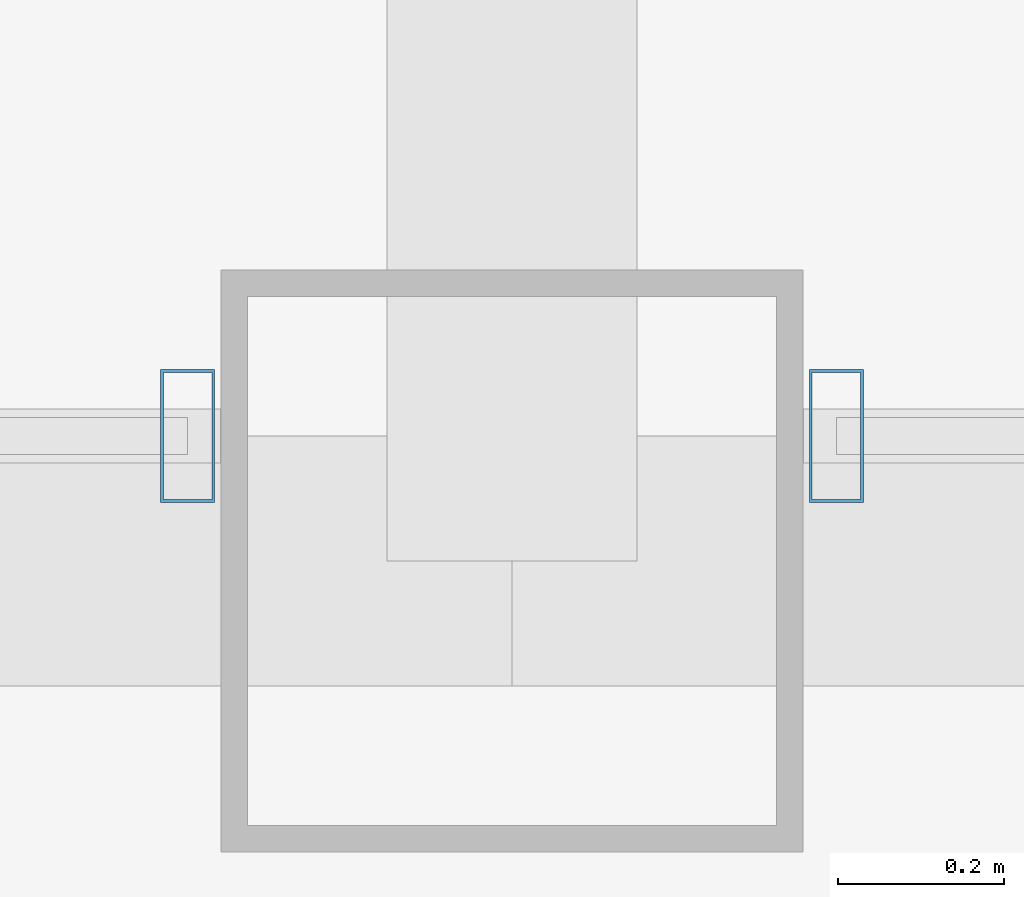
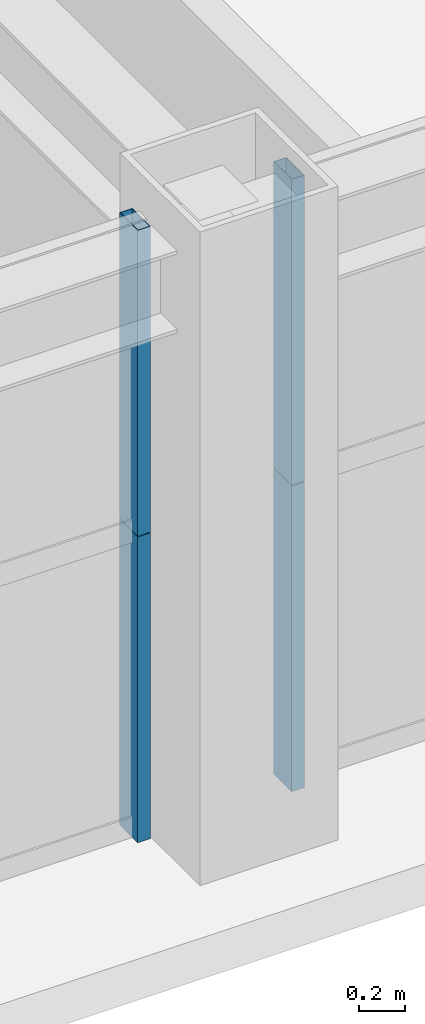
# One storey, part 9 of 36: 4 members, 2 elements without a shape of their own.
"""IFC4 building model written with IfcOpenShell, lengths in metres."""

from ifc_helpers import new_model, si_unit, direction, frame, origin, origin_2d, place, context, subcontext, project, spatial, hollow_rectangle, extrude, source, transform, mapped, material, layer, layer_set, material_profile, profile_set, type_object, element, aggregate, save


model = new_model("IFC4")

# Units and contexts
model_context = context("Model", 3, precision=1e-05, world=origin(), true_north=direction((0.0, 1.0)))
body_context = subcontext(model_context, "Body", "Model", "MODEL_VIEW")
ifc_project = project(units=[si_unit("LENGTHUNIT", "METRE"), si_unit("AREAUNIT", "SQUARE_METRE"), si_unit("VOLUMEUNIT", "CUBIC_METRE"), si_unit("PLANEANGLEUNIT", "RADIAN"), si_unit("MASSUNIT", "GRAM", prefix="KILO"), si_unit("THERMODYNAMICTEMPERATUREUNIT", "KELVIN"), si_unit("POWERUNIT", "WATT")], contexts=[model_context])

# Site, building, storey
site_placement = place(None, origin())
site = spatial("IfcSite", under=ifc_project, at=site_placement, CompositionType="ELEMENT")
building_placement = place(site_placement, origin())
building = spatial("IfcBuilding", under=site, at=building_placement, Name="Yuzanri Waterfront Tower", CompositionType="ELEMENT")
storey_placement = place(building_placement, frame((0.0, 0.0, 224.10009765625)))
storey = spatial("IfcBuildingStorey", under=building, at=storey_placement, Name="L59", CompositionType="ELEMENT", Elevation=224.10009765625)

# Curtain wall, members
ifc_material_1 = material(Name="Anodized Architectural Bronze", Category="metal")
ifc_layer = layer(ifc_material_1, 0.159912109375)
ifc_layer_set = layer_set([ifc_layer], Name="Anodized Architectural Bronze")
curtain_wall_type = type_object("IfcCurtainWallType", Name="Anodized Bronze Mid-Rise Residential Acoustic Unitized Curtain Wall 7200", PredefinedType="NOTDEFINED", material=ifc_layer_set)
curtain_wall_1_placement = place(storey_placement, origin())
curtain_wall_1 = element("IfcCurtainWall", 1, at=curtain_wall_1_placement, inside=storey, type_object=curtain_wall_type, Name="L59 Curtain Wall CW-L59-SL", PredefinedType="NOTDEFINED")
ifc_material_2 = material(Name="Anodized Architectural Bronze", Category="metal")
ifc_material_profile = material_profile(ifc_material_2, hollow_rectangle(XDim=0.06494140625, YDim=0.159912109375, WallThickness=0.00341796875, at=origin_2d()), Name="CWM 65x160")
ifc_profile_set = profile_set([ifc_material_profile], Name="Anodized Architectural Bronze")
member_type = type_object("IfcMemberType", Name="Anodized Bronze Upper-Zone Curtain-Wall Mullion 65x160", PredefinedType="MULLION", material=ifc_profile_set)
shared_shape = source(origin(), body_context, "Body", "SweptSolid", [
    extrude(hollow_rectangle(XDim=0.06494140625, YDim=0.159912109375, WallThickness=0.00341796875, at=origin_2d()), origin(), (0.0, 0.0, 1.0), 1.637939453125),
])
member_1_placement = place(storey_placement, frame((36.610107421875, 5.35009765625, 0.0), z_axis=(0.0, 0.0, 1.0), x_axis=(1.0, 0.0, 0.0)))
member_1 = element("IfcMember", 2, at=member_1_placement, type_object=member_type, Name="CW-L59-SL Lower Mullion 02", PredefinedType="MULLION", context=body_context, shape_type="MappedRepresentation", body=[
    mapped(shared_shape, transform((0.0, 0.0, 0.0), scale=1.0)),
])
member_2_placement = place(storey_placement, frame((36.610107421875, 5.35009765625, 1.641845703125), z_axis=(0.0, 0.0, 1.0), x_axis=(1.0, 0.0, 0.0)))
member_2 = element("IfcMember", 3, at=member_2_placement, type_object=member_type, Name="CW-L59-SL Upper Mullion 02", PredefinedType="MULLION", context=body_context, shape_type="MappedRepresentation", body=[
    mapped(shared_shape, transform((0.0, 0.0, 0.0), scale=1.0)),
])
aggregate(curtain_wall_1, [member_1, member_2])

curtain_wall_2_placement = place(storey_placement, origin())
curtain_wall_2 = element("IfcCurtainWall", 4, at=curtain_wall_2_placement, inside=storey, type_object=curtain_wall_type, Name="L59 Curtain Wall CW-L59-SR", PredefinedType="NOTDEFINED")
member_3_placement = place(storey_placement, frame((37.389892578125, 5.35009765625, 0.0), z_axis=(0.0, 0.0, 1.0), x_axis=(1.0, 0.0, 0.0)))
member_3 = element("IfcMember", 5, at=member_3_placement, type_object=member_type, Name="CW-L59-SR Lower Mullion 00", PredefinedType="MULLION", context=body_context, shape_type="MappedRepresentation", body=[
    mapped(shared_shape, transform((0.0, 0.0, 0.0), scale=1.0)),
])
member_4_placement = place(storey_placement, frame((37.389892578125, 5.35009765625, 1.641845703125), z_axis=(0.0, 0.0, 1.0), x_axis=(1.0, 0.0, 0.0)))
member_4 = element("IfcMember", 6, at=member_4_placement, type_object=member_type, Name="CW-L59-SR Upper Mullion 00", PredefinedType="MULLION", context=body_context, shape_type="MappedRepresentation", body=[
    mapped(shared_shape, transform((0.0, 0.0, 0.0), scale=1.0)),
])
aggregate(curtain_wall_2, [member_3, member_4])

save(model, "model.ifc")
